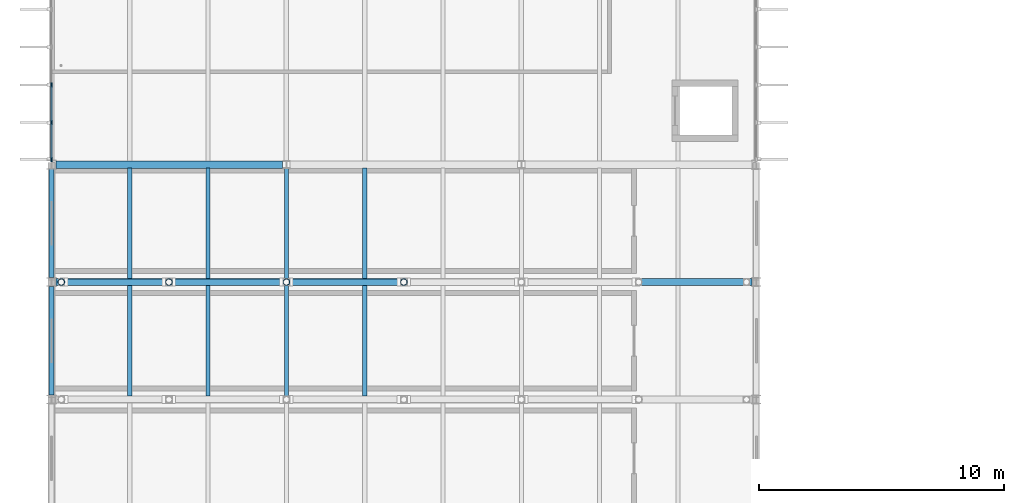
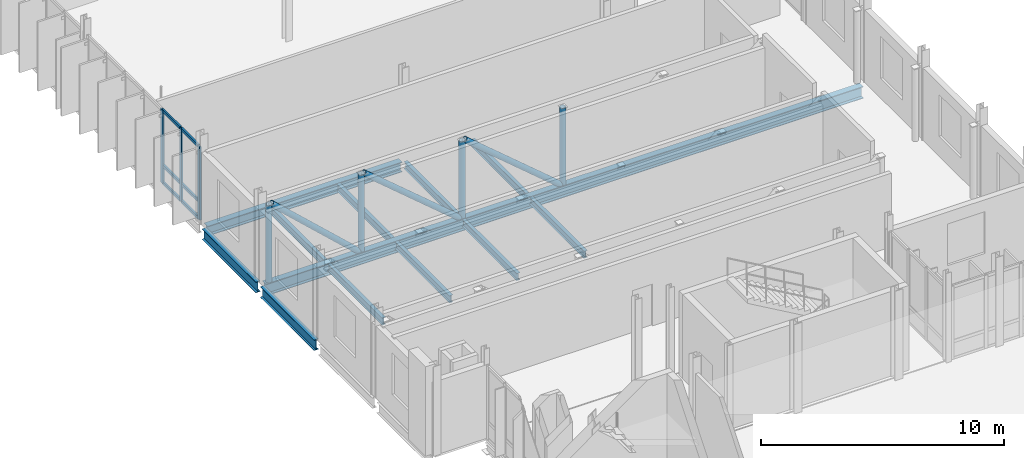
# One storey, part 27 of 110: 16 members, 12 beams, 1 element without a shape of its own.
"""IFC4 building model written with IfcOpenShell, lengths in metres."""

from ifc_helpers import new_model, si_unit, direction, frame, origin, origin_2d, place, context, subcontext, project, spatial, rectangle, hollow_circle, i_section, extrude, material, material_profile, profile_set, type_object, element, aggregate, save


model = new_model("IFC4")

# Units and contexts
model_context = context("Model", 3, precision=1e-05, world=origin(), true_north=direction((0.0, 1.0)))
body_context = subcontext(model_context, "Body", "Model", "MODEL_VIEW")
ifc_project = project(units=[si_unit("LENGTHUNIT", "METRE"), si_unit("AREAUNIT", "SQUARE_METRE"), si_unit("VOLUMEUNIT", "CUBIC_METRE"), si_unit("PLANEANGLEUNIT", "RADIAN"), si_unit("MASSUNIT", "GRAM", prefix="KILO")], contexts=[model_context])

# Site, building, storey
site_placement = place(None, origin())
site = spatial("IfcSite", under=ifc_project, at=site_placement, CompositionType="ELEMENT")
building_placement = place(site_placement, origin())
building = spatial("IfcBuilding", under=site, at=building_placement, Name="Dunescarp Central Library", CompositionType="ELEMENT")
storey_placement = place(building_placement, frame((0.0, 0.0, 9.60009765625)))
storey = spatial("IfcBuildingStorey", under=building, at=storey_placement, Name="L02", CompositionType="ELEMENT", Elevation=9.60009765625)

# Curtain wall, members
ifc_material_1 = material(Name="Marine-grade anodised aluminium 6063-T6", Category="aluminium")
curtain_wall_type = type_object("IfcCurtainWallType", Name="ARC-CW-STICK", PredefinedType="NOTDEFINED", material=ifc_material_1)
curtain_wall_placement = place(storey_placement, origin())
curtain_wall = element("IfcCurtainWall", 1, at=curtain_wall_placement, inside=storey, type_object=curtain_wall_type, Name="L02 curtain wall CW-V4-124", PredefinedType="NOTDEFINED")
ifc_material_profile_1 = material_profile(ifc_material_1, rectangle(XDim=0.080078125, YDim=0.179931640625, at=origin_2d()), Name="AL 80x180")
ifc_profile_set_1 = profile_set([ifc_material_profile_1], Name="Marine-grade anodised aluminium 6063-T6")
member_type_1 = type_object("IfcMemberType", Name="ARC-CWM-180", PredefinedType="MULLION", material=ifc_profile_set_1)
member_1_placement = place(storey_placement, frame((0.0, 61.014892578125, 0.0), z_axis=(0.0, 0.0, 1.0), x_axis=(-1.0, 0.0, 0.0)))
member_1 = element("IfcMember", 2, at=member_1_placement, type_object=member_type_1, Name="CW-V4-124 mullion 1", PredefinedType="MULLION", context=body_context, shape_type="SweptSolid", body=[
    extrude(rectangle(XDim=0.080078125, YDim=0.179931640625, at=origin_2d()), origin(), (0.0, 0.0, 1.0), 3.701904296875),
])
member_2_placement = place(storey_placement, frame((0.0, 62.5166015625, 0.0), z_axis=(0.0, 0.0, 1.0), x_axis=(-1.0, 0.0, 0.0)))
member_2 = element("IfcMember", 3, at=member_2_placement, type_object=member_type_1, Name="CW-V4-124 mullion 2", PredefinedType="MULLION", context=body_context, shape_type="SweptSolid", body=[
    extrude(rectangle(XDim=0.080078125, YDim=0.179931640625, at=origin_2d()), origin(), (0.0, 0.0, 1.0), 3.701904296875),
])
member_3_placement = place(storey_placement, frame((0.0, 64.058349609375, 0.0), z_axis=(0.0, 0.0, 1.0), x_axis=(-1.0, 0.0, 0.0)))
member_3 = element("IfcMember", 4, at=member_3_placement, type_object=member_type_1, Name="CW-V4-124 mullion 3", PredefinedType="MULLION", context=body_context, shape_type="SweptSolid", body=[
    extrude(rectangle(XDim=0.080078125, YDim=0.179931640625, at=origin_2d()), origin(), (0.0, 0.0, 1.0), 3.701904296875),
])
ifc_material_profile_2 = material_profile(ifc_material_1, rectangle(XDim=0.080078125, YDim=0.14990234375, at=origin_2d()), Name="AL 80x150")
ifc_profile_set_2 = profile_set([ifc_material_profile_2], Name="Marine-grade anodised aluminium 6063-T6")
member_type_2 = type_object("IfcMemberType", Name="ARC-CWT-150", PredefinedType="USERDEFINED", material=ifc_profile_set_2)
member_4_placement = place(storey_placement, frame((0.0, 61.054931640625, 0.039794921875), z_axis=(0.0, 1.0, 0.0), x_axis=(-1.0, 0.0, 0.0)))
member_4 = element("IfcMember", 5, at=member_4_placement, type_object=member_type_2, Name="CW-V4-124 transom 1.1", ObjectType="TRANSOM", PredefinedType="USERDEFINED", context=body_context, shape_type="SweptSolid", body=[
    extrude(rectangle(XDim=0.080078125, YDim=0.14990234375, at=origin_2d()), origin(), (0.0, 0.0, 1.0), 1.421630859375),
])
member_5_placement = place(storey_placement, frame((0.0, 61.054931640625, 0.89990234375), z_axis=(0.0, 1.0, 0.0), x_axis=(-1.0, 0.0, 0.0)))
member_5 = element("IfcMember", 6, at=member_5_placement, type_object=member_type_2, Name="CW-V4-124 transom 1.2", ObjectType="TRANSOM", PredefinedType="USERDEFINED", context=body_context, shape_type="SweptSolid", body=[
    extrude(rectangle(XDim=0.080078125, YDim=0.14990234375, at=origin_2d()), origin(), (0.0, 0.0, 1.0), 1.421630859375),
])
member_6_placement = place(storey_placement, frame((0.0, 61.054931640625, 3.661865234375), z_axis=(0.0, 1.0, 0.0), x_axis=(-1.0, 0.0, 0.0)))
member_6 = element("IfcMember", 7, at=member_6_placement, type_object=member_type_2, Name="CW-V4-124 transom 1.3", ObjectType="TRANSOM", PredefinedType="USERDEFINED", context=body_context, shape_type="SweptSolid", body=[
    extrude(rectangle(XDim=0.080078125, YDim=0.14990234375, at=origin_2d()), origin(), (0.0, 0.0, 1.0), 1.421630859375),
])
member_7_placement = place(storey_placement, frame((0.0, 62.556640625, 0.039794921875), z_axis=(0.0, 1.0, 0.0), x_axis=(-1.0, 0.0, 0.0)))
member_7 = element("IfcMember", 8, at=member_7_placement, type_object=member_type_2, Name="CW-V4-124 transom 2.1", ObjectType="TRANSOM", PredefinedType="USERDEFINED", context=body_context, shape_type="SweptSolid", body=[
    extrude(rectangle(XDim=0.080078125, YDim=0.14990234375, at=origin_2d()), origin(), (0.0, 0.0, 1.0), 1.461669921875),
])
member_8_placement = place(storey_placement, frame((0.0, 62.556640625, 0.89990234375), z_axis=(0.0, 1.0, 0.0), x_axis=(-1.0, 0.0, 0.0)))
member_8 = element("IfcMember", 9, at=member_8_placement, type_object=member_type_2, Name="CW-V4-124 transom 2.2", ObjectType="TRANSOM", PredefinedType="USERDEFINED", context=body_context, shape_type="SweptSolid", body=[
    extrude(rectangle(XDim=0.080078125, YDim=0.14990234375, at=origin_2d()), origin(), (0.0, 0.0, 1.0), 1.461669921875),
])
member_9_placement = place(storey_placement, frame((0.0, 62.556640625, 3.661865234375), z_axis=(0.0, 1.0, 0.0), x_axis=(-1.0, 0.0, 0.0)))
member_9 = element("IfcMember", 10, at=member_9_placement, type_object=member_type_2, Name="CW-V4-124 transom 2.3", ObjectType="TRANSOM", PredefinedType="USERDEFINED", context=body_context, shape_type="SweptSolid", body=[
    extrude(rectangle(XDim=0.080078125, YDim=0.14990234375, at=origin_2d()), origin(), (0.0, 0.0, 1.0), 1.461669921875),
])
aggregate(curtain_wall, [member_1, member_2, member_3, member_4, member_5, member_6, member_7, member_8, member_9])

# Beams
ifc_material_2 = material(Name="Steel S355JR", Category="steel")
ifc_material_profile_3 = material_profile(ifc_material_2, i_section(OverallWidth=0.300048828125, OverallDepth=0.5, WebThickness=0.014404296875, FlangeThickness=0.028076171875, at=origin_2d()), Name="HEB 500")
ifc_profile_set_3 = profile_set([ifc_material_profile_3], Name="Steel S355JR")
beam_type_1 = type_object("IfcBeamType", Name="STR-BM-HEB500", PredefinedType="BEAM", material=ifc_profile_set_3)
beam_1_placement = place(storey_placement, frame((0.18310546875, 60.800048828125, -0.460205078125), z_axis=(1.0, 0.0, 0.0), x_axis=(0.0, 1.0, 0.0)))
element("IfcBeam", 11, at=beam_1_placement, inside=storey, type_object=beam_type_1, Name="L02 girder BM-L02-0987", PredefinedType="BEAM", context=body_context, shape_type="SweptSolid", body=[
    extrude(i_section(OverallWidth=0.300048828125, OverallDepth=0.5, WebThickness=0.014404296875, FlangeThickness=0.028076171875, at=origin_2d()), origin(), (0.0, 0.0, 1.0), 9.263916015625),
])
ifc_material_3 = material(Name="Steel S355J0", Category="steel")
ifc_material_profile_4 = material_profile(ifc_material_3, i_section(OverallWidth=0.300048828125, OverallDepth=0.60009765625, WebThickness=0.015380859375, FlangeThickness=0.030029296875, at=origin_2d()), Name="HEB 600")
ifc_profile_set_4 = profile_set([ifc_material_profile_4], Name="Steel S355J0")
beam_type_2 = type_object("IfcBeamType", Name="STR-BM-HEB600", PredefinedType="BEAM", material=ifc_profile_set_4)
beam_2_placement = place(storey_placement, frame((0.18310546875, 56.0, -0.510009765625), z_axis=(1.0, 0.0, 0.0), x_axis=(0.0, 1.0, 0.0)))
element("IfcBeam", 12, at=beam_2_placement, inside=storey, type_object=beam_type_2, Name="Transfer truss TT-V4-3 bottom chord", PredefinedType="BEAM", context=body_context, shape_type="SweptSolid", body=[
    extrude(i_section(OverallWidth=0.300048828125, OverallDepth=0.60009765625, WebThickness=0.015380859375, FlangeThickness=0.030029296875, at=origin_2d()), origin(), (0.0, 0.0, 1.0), 28.433837890625),
])
ifc_material_profile_5 = material_profile(ifc_material_2, i_section(OverallWidth=0.209228515625, OverallDepth=0.533203125, WebThickness=0.010009765625, FlangeThickness=0.015625, at=origin_2d()), Name="UB 533x210x92")
ifc_profile_set_5 = profile_set([ifc_material_profile_5], Name="Steel S355JR")
beam_type_3 = type_object("IfcBeamType", Name="STR-BM-UB533", PredefinedType="BEAM", material=ifc_profile_set_5)
for number, where, z_axis, x_axis, name in (
    (13, (0.0, 51.381103515625, -0.47607421875), (0.0, 1.0, 0.0), (-1.0, 0.0, 0.0), "L02 edge girder BM-L02-1351"),
    (14, (0.0, 56.180908203125, -0.47607421875), (0.0, 1.0, 0.0), (-1.0, 0.0, 0.0), "L02 edge girder BM-L02-1352"),
):
    element("IfcBeam", number, at=place(storey_placement, frame(where, z_axis=z_axis, x_axis=x_axis)), inside=storey, type_object=beam_type_3, Name=name, PredefinedType="BEAM", context=body_context, shape_type="SweptSolid", body=[
        extrude(i_section(OverallWidth=0.209228515625, OverallDepth=0.533203125, WebThickness=0.010009765625, FlangeThickness=0.015625, at=origin_2d()), origin(), (0.0, 0.0, 1.0), 4.43798828125),
    ])
ifc_material_profile_6 = material_profile(ifc_material_2, i_section(OverallWidth=0.169921875, OverallDepth=0.360107421875, WebThickness=0.008056640625, FlangeThickness=0.0126953125, at=origin_2d()), Name="IPE 360")
ifc_profile_set_6 = profile_set([ifc_material_profile_6], Name="Steel S355JR")
beam_type_4 = type_object("IfcBeamType", Name="STR-JS-IPE360", PredefinedType="JOIST", material=ifc_profile_set_6)
for number, where, z_axis, x_axis, name in (
    (15, (3.199951171875, 51.347900390625, -0.39013671875), (0.0, 1.0, 0.0), (-1.0, 0.0, 0.0), "L02 joist JS-L02-1373"),
    (16, (6.39990234375, 51.347900390625, -0.39013671875), (0.0, 1.0, 0.0), (-1.0, 0.0, 0.0), "L02 joist JS-L02-1374"),
    (17, (9.60009765625, 51.347900390625, -0.39013671875), (0.0, 1.0, 0.0), (-1.0, 0.0, 0.0), "L02 joist JS-L02-1375"),
    (18, (12.800048828125, 51.347900390625, -0.39013671875), (0.0, 1.0, 0.0), (-1.0, 0.0, 0.0), "L02 joist JS-L02-1376"),
    (19, (3.199951171875, 56.14794921875, -0.39013671875), (0.0, 1.0, 0.0), (-1.0, 0.0, 0.0), "L02 joist JS-L02-1381"),
    (20, (6.39990234375, 56.14794921875, -0.39013671875), (0.0, 1.0, 0.0), (-1.0, 0.0, 0.0), "L02 joist JS-L02-1382"),
    (21, (9.60009765625, 56.14794921875, -0.39013671875), (0.0, 1.0, 0.0), (-1.0, 0.0, 0.0), "L02 joist JS-L02-1383"),
    (22, (12.800048828125, 56.14794921875, -0.39013671875), (0.0, 1.0, 0.0), (-1.0, 0.0, 0.0), "L02 joist JS-L02-1384"),
):
    element("IfcBeam", number, at=place(storey_placement, frame(where, z_axis=z_axis, x_axis=x_axis)), inside=storey, type_object=beam_type_4, Name=name, PredefinedType="JOIST", context=body_context, shape_type="SweptSolid", body=[
        extrude(i_section(OverallWidth=0.169921875, OverallDepth=0.360107421875, WebThickness=0.008056640625, FlangeThickness=0.0126953125, at=origin_2d()), origin(), (0.0, 0.0, 1.0), 4.504150390625),
    ])

# Members
ifc_material_profile_7 = material_profile(ifc_material_3, hollow_circle(Radius=0.136474609375, WallThickness=0.012451171875, at=origin_2d()), Name="CHS 273x12.5")
ifc_profile_set_7 = profile_set([ifc_material_profile_7], Name="Steel S355J0")
member_type_3 = type_object("IfcMemberType", Name="STR-TT-DIAG", PredefinedType="CHORD", material=ifc_profile_set_7)
member_10_placement = place(storey_placement, frame((0.510009765625, 56.0, 3.661865234375), z_axis=(0.733435505743, 0.0, -0.679759044748), x_axis=(0.0, 1.0, 0.0)))
element("IfcMember", 23, at=member_10_placement, inside=storey, type_object=member_type_3, Name="Transfer truss TT-V4-3 diagonal 1", PredefinedType="CHORD", context=body_context, shape_type="SweptSolid", body=[
    extrude(hollow_circle(Radius=0.136474609375, WallThickness=0.012451171875, at=origin_2d()), origin(), (0.0, 0.0, 1.0), 5.69921875),
])
for number, where, z_axis, x_axis, name in (
    (24, (4.909912109375, 56.0, 3.661865234375), (0.763503596688, 0.0, -0.64580357528), (0.0, 1.0, 0.0), "Transfer truss TT-V4-3 diagonal 2"),
    (25, (9.7099609375, 56.0, 3.661865234375), (0.763503596688, 0.0, -0.64580357528), (0.0, 1.0, 0.0), "Transfer truss TT-V4-3 diagonal 3"),
):
    element("IfcMember", number, at=place(storey_placement, frame(where, z_axis=z_axis, x_axis=x_axis)), inside=storey, type_object=member_type_3, Name=name, PredefinedType="CHORD", context=body_context, shape_type="SweptSolid", body=[
        extrude(hollow_circle(Radius=0.136474609375, WallThickness=0.012451171875, at=origin_2d()), origin(), (0.0, 0.0, 1.0), 5.998779296875),
    ])
ifc_material_profile_8 = material_profile(ifc_material_3, hollow_circle(Radius=0.136474609375, WallThickness=0.010009765625, at=origin_2d()), Name="CHS 273x10")
ifc_profile_set_8 = profile_set([ifc_material_profile_8], Name="Steel S355J0")
member_type_4 = type_object("IfcMemberType", Name="STR-TT-VERT", PredefinedType="CHORD", material=ifc_profile_set_8)
for number, where, z_axis, x_axis, name in (
    (26, (0.39990234375, 56.0, -0.215087890625), (0.0, 0.0, 1.0), (1.0, 0.0, 0.0), "Transfer truss TT-V4-3 vertical 1"),
    (27, (4.800048828125, 56.0, -0.215087890625), (0.0, 0.0, 1.0), (1.0, 0.0, 0.0), "Transfer truss TT-V4-3 vertical 2"),
    (28, (9.60009765625, 56.0, -0.215087890625), (0.0, 0.0, 1.0), (1.0, 0.0, 0.0), "Transfer truss TT-V4-3 vertical 3"),
    (29, (14.39990234375, 56.0, -0.215087890625), (0.0, 0.0, 1.0), (1.0, 0.0, 0.0), "Transfer truss TT-V4-3 vertical 4"),
):
    element("IfcMember", number, at=place(storey_placement, frame(where, z_axis=z_axis, x_axis=x_axis)), inside=storey, type_object=member_type_4, Name=name, PredefinedType="CHORD", context=body_context, shape_type="SweptSolid", body=[
        extrude(hollow_circle(Radius=0.136474609375, WallThickness=0.010009765625, at=origin_2d()), origin(), (0.0, 0.0, 1.0), 3.8798828125),
    ])

save(model, "model.ifc")
